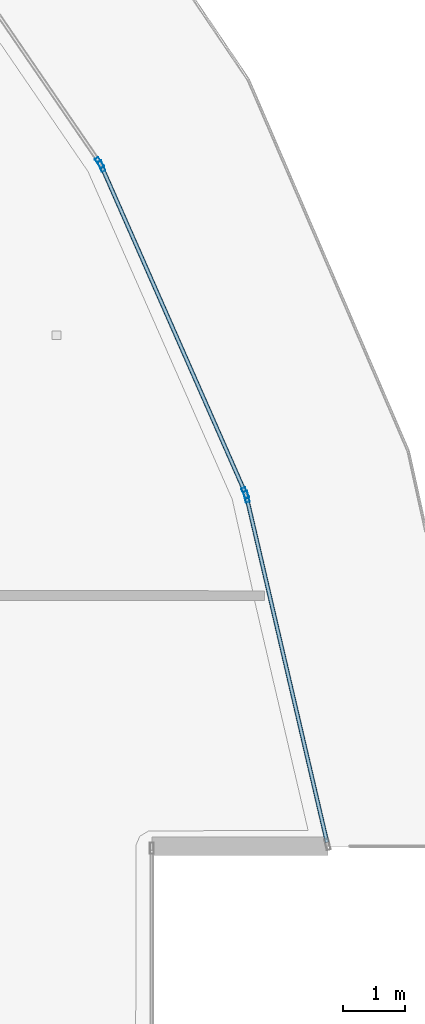
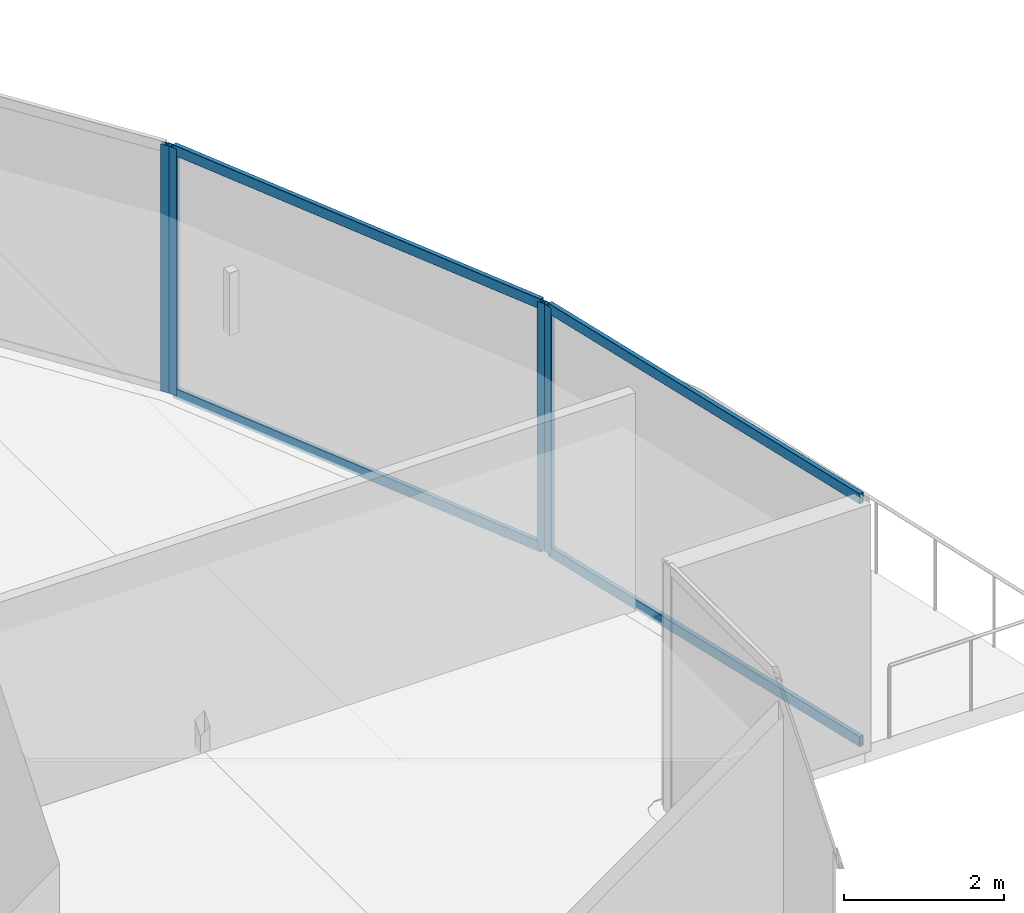
# One storey, part 21 of 33: 8 members, 3 elements without a shape of their own.
"""IFC4 building model written with IfcOpenShell, lengths in metres."""

from ifc_helpers import new_model, si_unit, direction, frame, origin, origin_2d, place, context, subcontext, project, spatial, hollow_rectangle, extrude, material, layer, layer_set, material_profile, profile_set, type_object, element, aggregate, save


model = new_model("IFC4")

# Units and contexts
model_context = context("Model", 3, precision=1e-05, world=origin(), true_north=direction((0.0, 1.0)))
body_context = subcontext(model_context, "Body", "Model", "MODEL_VIEW")
ifc_project = project(units=[si_unit("LENGTHUNIT", "METRE"), si_unit("AREAUNIT", "SQUARE_METRE"), si_unit("VOLUMEUNIT", "CUBIC_METRE"), si_unit("PLANEANGLEUNIT", "RADIAN"), si_unit("MASSUNIT", "GRAM", prefix="KILO")], contexts=[model_context])

# Site, building, storey
site_placement = place(None, origin())
site = spatial("IfcSite", under=ifc_project, at=site_placement, CompositionType="ELEMENT")
building_placement = place(site_placement, origin())
building = spatial("IfcBuilding", under=site, at=building_placement, Name="Qorvath Tower", CompositionType="ELEMENT")
storey_placement = place(building_placement, frame((0.0, 0.0, 221.25)))
storey = spatial("IfcBuildingStorey", under=building, at=storey_placement, Name="L51", CompositionType="ELEMENT", Elevation=221.25)

# Curtain wall, member
ifc_material_1 = material(Name="Anodised aluminium and triple low-E glass", Category="aluminium")
ifc_layer = layer(ifc_material_1, 0.179931640625)
ifc_layer_set = layer_set([ifc_layer], Name="CW-SYS-3")
curtain_wall_type = type_object("IfcCurtainWallType", Name="CW-SYS-3", PredefinedType="NOTDEFINED", material=ifc_layer_set)
curtain_wall_1_placement = place(storey_placement, origin())
curtain_wall_1 = element("IfcCurtainWall", 1, at=curtain_wall_1_placement, inside=storey, type_object=curtain_wall_type, Name="Curtain Wall CW-3 CW-T-L51-11.1", PredefinedType="NOTDEFINED")
ifc_material_2 = material(Name="Anodised aluminium 6063-T6", Category="aluminium")
ifc_material_profile_1 = material_profile(ifc_material_2, hollow_rectangle(XDim=0.06494140625, YDim=0.179931640625, WallThickness=0.00341796875, InnerFilletRadius=0.00341796875, OuterFilletRadius=0.007080078125, at=origin_2d()), Name="CWM 180x65")
ifc_profile_set_1 = profile_set([ifc_material_profile_1], Name="Anodised aluminium 6063-T6")
member_type_1 = type_object("IfcMemberType", Name="CWM-180", PredefinedType="MULLION", material=ifc_profile_set_1)
member_1_placement = place(storey_placement, frame((-1.26904296875, 9.935546875, 0.0), z_axis=(0.0, 0.0, 1.0), x_axis=(-0.97390782408, -0.226943936238, 0.0)))
member_1 = element("IfcMember", 2, at=member_1_placement, type_object=member_type_1, Name="CW-3 mullion 2", PredefinedType="MULLION", context=body_context, shape_type="SweptSolid", body=[
    extrude(hollow_rectangle(XDim=0.06494140625, YDim=0.179931640625, WallThickness=0.00341796875, InnerFilletRadius=0.00341796875, OuterFilletRadius=0.007080078125, at=origin_2d()), origin(), (0.0, 0.0, 1.0), 3.780029296875),
])

# Curtain wall, members
curtain_wall_2_placement = place(storey_placement, origin())
curtain_wall_2 = element("IfcCurtainWall", 3, at=curtain_wall_2_placement, inside=storey, type_object=curtain_wall_type, Name="Curtain Wall CW-3 CW-T-L51-12.1", PredefinedType="NOTDEFINED")
member_2_placement = place(storey_placement, frame((-1.28955078125, 9.9970703125, 0.0), z_axis=(0.0, 0.0, 1.0), x_axis=(-0.915321088723, -0.402724849666, 0.0)))
member_2 = element("IfcMember", 4, at=member_2_placement, type_object=member_type_1, Name="CW-3 mullion 1", PredefinedType="MULLION", context=body_context, shape_type="SweptSolid", body=[
    extrude(hollow_rectangle(XDim=0.06494140625, YDim=0.179931640625, WallThickness=0.00341796875, InnerFilletRadius=0.00341796875, OuterFilletRadius=0.007080078125, at=origin_2d()), origin(), (0.0, 0.0, 1.0), 3.780029296875),
])
member_3_placement = place(storey_placement, frame((-3.616455078125, 15.285888671875, 0.0), z_axis=(0.0, 0.0, 1.0), x_axis=(-0.915321088723, -0.402724849666, 0.0)))
member_3 = element("IfcMember", 5, at=member_3_placement, type_object=member_type_1, Name="CW-3 mullion 2", PredefinedType="MULLION", context=body_context, shape_type="SweptSolid", body=[
    extrude(hollow_rectangle(XDim=0.06494140625, YDim=0.179931640625, WallThickness=0.00341796875, InnerFilletRadius=0.00341796875, OuterFilletRadius=0.007080078125, at=origin_2d()), origin(), (0.0, 0.0, 1.0), 3.780029296875),
])

# Curtain wall, member
curtain_wall_3_placement = place(storey_placement, origin())
curtain_wall_3 = element("IfcCurtainWall", 6, at=curtain_wall_3_placement, inside=storey, type_object=curtain_wall_type, Name="Curtain Wall CW-3 CW-T-L51-13.1", PredefinedType="NOTDEFINED")
member_4_placement = place(storey_placement, frame((-3.64794921875, 15.342529296875, 0.0), z_axis=(0.0, 0.0, 1.0), x_axis=(-0.825264440165, -0.564746495163, 0.0)))
member_4 = element("IfcMember", 7, at=member_4_placement, type_object=member_type_1, Name="CW-3 mullion 1", PredefinedType="MULLION", context=body_context, shape_type="SweptSolid", body=[
    extrude(hollow_rectangle(XDim=0.06494140625, YDim=0.179931640625, WallThickness=0.00341796875, InnerFilletRadius=0.00341796875, OuterFilletRadius=0.007080078125, at=origin_2d()), origin(), (0.0, 0.0, 1.0), 3.780029296875),
])
aggregate(curtain_wall_3, [member_4])

# Member
ifc_material_3 = material(Name="Anodised aluminium 6063-T6", Category="aluminium")
ifc_material_profile_2 = material_profile(ifc_material_3, hollow_rectangle(XDim=0.06494140625, YDim=0.159912109375, WallThickness=0.00341796875, InnerFilletRadius=0.00341796875, OuterFilletRadius=0.007080078125, at=origin_2d()), Name="CWT 160x65")
ifc_profile_set_2 = profile_set([ifc_material_profile_2], Name="Anodised aluminium 6063-T6")
member_type_2 = type_object("IfcMemberType", Name="CWT-160", PredefinedType="USERDEFINED", material=ifc_profile_set_2)
member_5_placement = place(storey_placement, frame((0.034912109375, 4.340087890625, 0.032470703125), z_axis=(-0.226959424522, 0.973904214808, 0.0), x_axis=(-0.973904214808, -0.226959424522, 0.0)))
member_5 = element("IfcMember", 8, at=member_5_placement, type_object=member_type_2, Name="CW-3 transom 1.1", ObjectType="TRANSOM", PredefinedType="USERDEFINED", context=body_context, shape_type="SweptSolid", body=[
    extrude(hollow_rectangle(XDim=0.06494140625, YDim=0.159912109375, WallThickness=0.00341796875, InnerFilletRadius=0.00341796875, OuterFilletRadius=0.007080078125, at=origin_2d()), origin(), (0.0, 0.0, 1.0), 5.713134765625),
])

member_6_placement = place(storey_placement, frame((0.034912109375, 4.340087890625, 3.74755859375), z_axis=(-0.226959424522, 0.973904214808, 0.0), x_axis=(-0.973904214808, -0.226959424522, 0.0)))
member_6 = element("IfcMember", 9, at=member_6_placement, type_object=member_type_2, Name="CW-3 transom 1.2", ObjectType="TRANSOM", PredefinedType="USERDEFINED", context=body_context, shape_type="SweptSolid", body=[
    extrude(hollow_rectangle(XDim=0.06494140625, YDim=0.159912109375, WallThickness=0.00341796875, InnerFilletRadius=0.00341796875, OuterFilletRadius=0.007080078125, at=origin_2d()), origin(), (0.0, 0.0, 1.0), 5.713134765625),
])

aggregate(curtain_wall_1, [member_1, member_5, member_6])

member_7_placement = place(storey_placement, frame((-1.302490234375, 10.02685546875, 0.032470703125), z_axis=(-0.402761527447, 0.915304950281, 0.0), x_axis=(-0.915304950281, -0.402761527447, 0.0)))
member_7 = element("IfcMember", 10, at=member_7_placement, type_object=member_type_2, Name="CW-3 transom 1.1", ObjectType="TRANSOM", PredefinedType="USERDEFINED", context=body_context, shape_type="SweptSolid", body=[
    extrude(hollow_rectangle(XDim=0.06494140625, YDim=0.159912109375, WallThickness=0.00341796875, InnerFilletRadius=0.00341796875, OuterFilletRadius=0.007080078125, at=origin_2d()), origin(), (0.0, 0.0, 1.0), 5.713134765625),
])

member_8_placement = place(storey_placement, frame((-1.302490234375, 10.02685546875, 3.74755859375), z_axis=(-0.402761527447, 0.915304950281, 0.0), x_axis=(-0.915304950281, -0.402761527447, 0.0)))
member_8 = element("IfcMember", 11, at=member_8_placement, type_object=member_type_2, Name="CW-3 transom 1.2", ObjectType="TRANSOM", PredefinedType="USERDEFINED", context=body_context, shape_type="SweptSolid", body=[
    extrude(hollow_rectangle(XDim=0.06494140625, YDim=0.159912109375, WallThickness=0.00341796875, InnerFilletRadius=0.00341796875, OuterFilletRadius=0.007080078125, at=origin_2d()), origin(), (0.0, 0.0, 1.0), 5.713134765625),
])

aggregate(curtain_wall_2, [member_2, member_3, member_7, member_8])

save(model, "model.ifc")
